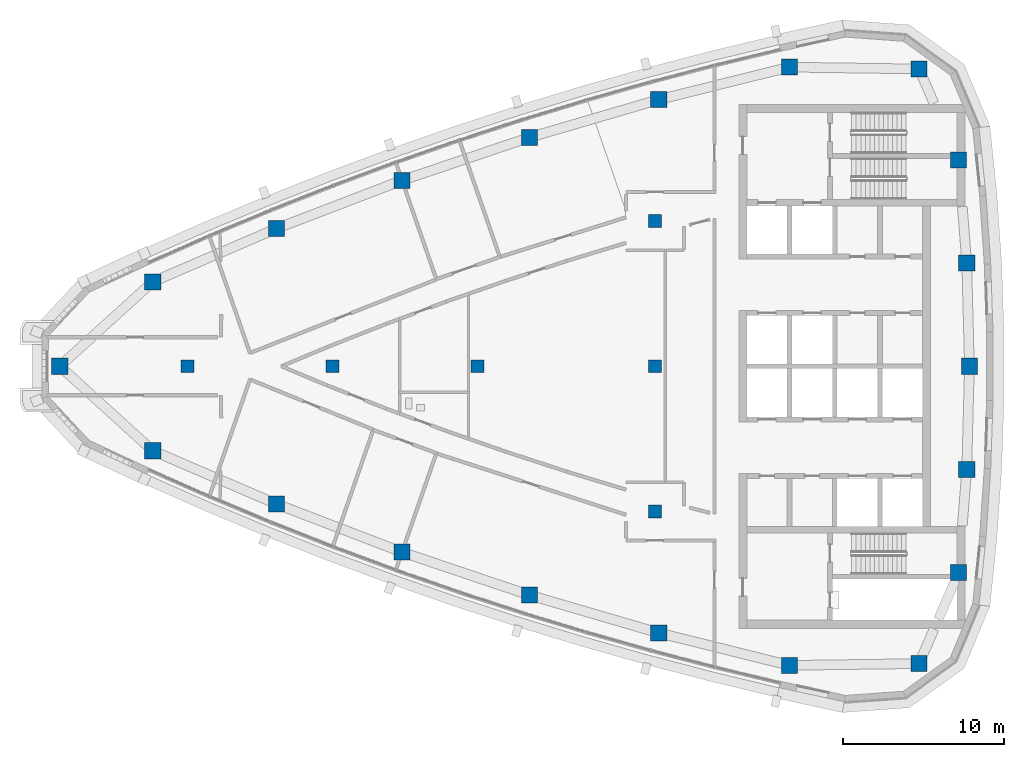
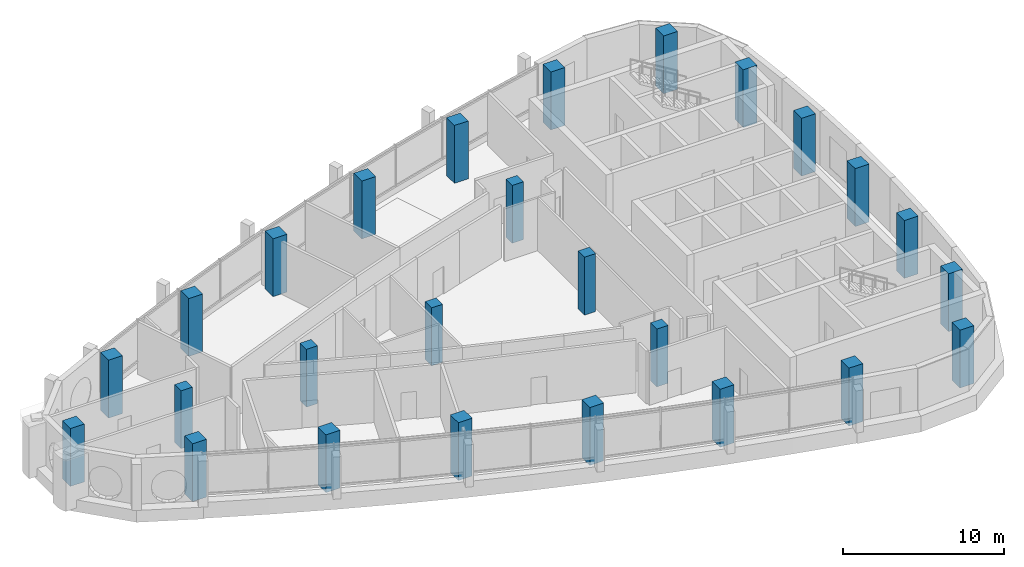
# One storey, part 1 of 15: 26 columns.
"""IFC4 building model written with IfcOpenShell, lengths in metres."""

from ifc_helpers import new_model, si_unit, direction, frame, origin, origin_2d, place, context, subcontext, project, spatial, rectangle, extrude, material, material_profile, profile_set, type_object, element, save


model = new_model("IFC4")

# Units and contexts
model_context = context("Model", 3, precision=1e-05, world=origin(), true_north=direction((0.0, 1.0)))
body_context = subcontext(model_context, "Body", "Model", "MODEL_VIEW")
ifc_project = project(units=[si_unit("LENGTHUNIT", "METRE"), si_unit("AREAUNIT", "SQUARE_METRE"), si_unit("VOLUMEUNIT", "CUBIC_METRE"), si_unit("PLANEANGLEUNIT", "RADIAN"), si_unit("MASSUNIT", "GRAM", prefix="KILO")], contexts=[model_context])

# Site, building, storey
site_placement = place(None, origin())
site = spatial("IfcSite", under=ifc_project, at=site_placement, CompositionType="ELEMENT")
building_placement = place(site_placement, origin())
building = spatial("IfcBuilding", under=site, at=building_placement, Name="Ostrand Prow Hotel Tower", CompositionType="ELEMENT")
storey_placement = place(building_placement, frame((0.0, 0.0, 318.60009765625)))
storey = spatial("IfcBuildingStorey", under=building, at=storey_placement, Name="C3", CompositionType="ELEMENT", Elevation=318.60009765625)

# Columns
ifc_material_1 = material(Name="Concrete C40/50", Category="concrete")
ifc_material_profile_1 = material_profile(ifc_material_1, rectangle(XDim=0.800048828125, YDim=0.800048828125, at=origin_2d()), Name="RC 800x800")
ifc_profile_set_1 = profile_set([ifc_material_profile_1], Name="Concrete C40/50")
column_type_1 = type_object("IfcColumnType", Name="Interior column 800x800 C40/50", PredefinedType="COLUMN", material=ifc_profile_set_1)
for number, where, z_axis, x_axis, name in (
    (1, (16.0, 0.0, 0.0), (0.0, 0.0, 1.0), (1.0, 0.0, 0.0), "Interior column 16C0"),
    (2, (25.0, 0.0, 0.0), (0.0, 0.0, 1.0), (1.0, 0.0, 0.0), "Interior column 25C0"),
    (3, (34.0, 0.0, 0.0), (0.0, 0.0, 1.0), (1.0, 0.0, 0.0), "Interior column 34C0"),
    (4, (45.0, -9.0, 0.0), (0.0, 0.0, 1.0), (1.0, 0.0, 0.0), "Interior column 45S9"),
    (5, (45.0, 0.0, 0.0), (0.0, 0.0, 1.0), (1.0, 0.0, 0.0), "Interior column 45C0"),
    (6, (45.0, 9.0, 0.0), (0.0, 0.0, 1.0), (1.0, 0.0, 0.0), "Interior column 45N9"),
):
    element("IfcColumn", number, at=place(storey_placement, frame(where, z_axis=z_axis, x_axis=x_axis)), inside=storey, type_object=column_type_1, Name=name, PredefinedType="COLUMN", context=body_context, shape_type="SweptSolid", body=[
        extrude(rectangle(XDim=0.800048828125, YDim=0.800048828125, at=origin_2d()), origin(), (0.0, 0.0, 1.0), 4.39990234375),
    ])
ifc_material_2 = material(Name="Concrete C40/50", Category="concrete")
ifc_material_profile_2 = material_profile(ifc_material_2, rectangle(XDim=1.0, YDim=1.0, at=origin_2d()), Name="RC 1000x1000")
ifc_profile_set_2 = profile_set([ifc_material_profile_2], Name="Concrete C40/50")
column_type_2 = type_object("IfcColumnType", Name="Stone-faced mega column 1000x1000 C40/50", PredefinedType="COLUMN", material=ifc_profile_set_2)
for number, where, z_axis, x_axis, name in (
    (7, (8.082763671875, 0.0, 0.0), (0.0, 0.0, 1.0), (1.0, 0.0, 0.0), "Mega column P"),
    (8, (13.846435546875, -5.23681640625, 0.0), (0.0, 0.0, 1.0), (1.0, 0.0, 0.0), "Mega column S1"),
    (9, (21.51416015625, -8.5400390625, 0.0), (0.0, 0.0, 1.0), (1.0, 0.0, 0.0), "Mega column S2"),
    (10, (29.31005859375, -11.528076171875, 0.0), (0.0, 0.0, 1.0), (1.0, 0.0, 0.0), "Mega column S3"),
    (11, (37.22119140625, -14.19580078125, 0.0), (0.0, 0.0, 1.0), (1.0, 0.0, 0.0), "Mega column S4"),
    (12, (45.234619140625, -16.53857421875, 0.0), (0.0, 0.0, 1.0), (1.0, 0.0, 0.0), "Mega column S5"),
    (13, (53.3369140625, -18.552978515625, 0.0), (0.0, 0.0, 1.0), (1.0, 0.0, 0.0), "Mega column S6"),
    (14, (61.374267578125, -18.439697265625, 0.0), (0.0, 0.0, 1.0), (1.0, 0.0, 0.0), "Mega column SE"),
    (15, (63.831787109375, -12.7890625, 0.0), (0.0, 0.0, 1.0), (1.0, 0.0, 0.0), "Mega column B1"),
    (16, (64.332763671875, -6.4033203125, 0.0), (0.0, 0.0, 1.0), (1.0, 0.0, 0.0), "Mega column B2"),
    (17, (64.5, 0.0, 0.0), (0.0, 0.0, 1.0), (1.0, 0.0, 0.0), "Mega column B3"),
    (18, (64.332763671875, 6.4033203125, 0.0), (0.0, 0.0, 1.0), (1.0, 0.0, 0.0), "Mega column B4"),
    (19, (63.831787109375, 12.7890625, 0.0), (0.0, 0.0, 1.0), (1.0, 0.0, 0.0), "Mega column B5"),
    (20, (61.374267578125, 18.439697265625, 0.0), (0.0, 0.0, 1.0), (1.0, 0.0, 0.0), "Mega column NE"),
    (21, (53.3369140625, 18.552978515625, 0.0), (0.0, 0.0, 1.0), (1.0, 0.0, 0.0), "Mega column N1"),
    (22, (45.234619140625, 16.53857421875, 0.0), (0.0, 0.0, 1.0), (1.0, 0.0, 0.0), "Mega column N2"),
    (23, (37.22119140625, 14.19580078125, 0.0), (0.0, 0.0, 1.0), (1.0, 0.0, 0.0), "Mega column N3"),
    (24, (29.31005859375, 11.528076171875, 0.0), (0.0, 0.0, 1.0), (1.0, 0.0, 0.0), "Mega column N4"),
    (25, (21.51416015625, 8.5400390625, 0.0), (0.0, 0.0, 1.0), (1.0, 0.0, 0.0), "Mega column N5"),
    (26, (13.846435546875, 5.23681640625, 0.0), (0.0, 0.0, 1.0), (1.0, 0.0, 0.0), "Mega column N6"),
):
    element("IfcColumn", number, at=place(storey_placement, frame(where, z_axis=z_axis, x_axis=x_axis)), inside=storey, type_object=column_type_2, Name=name, PredefinedType="COLUMN", context=body_context, shape_type="SweptSolid", body=[
        extrude(rectangle(XDim=1.0, YDim=1.0, at=origin_2d()), origin(), (0.0, 0.0, 1.0), 4.39990234375),
    ])

save(model, "model.ifc")
